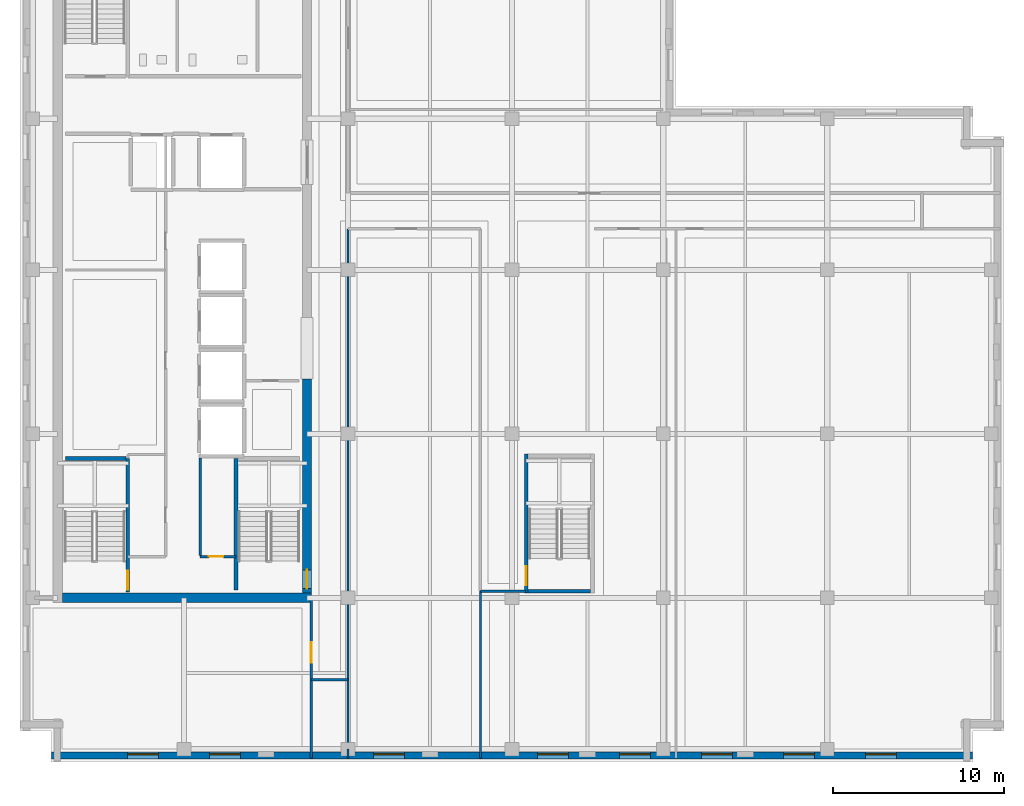
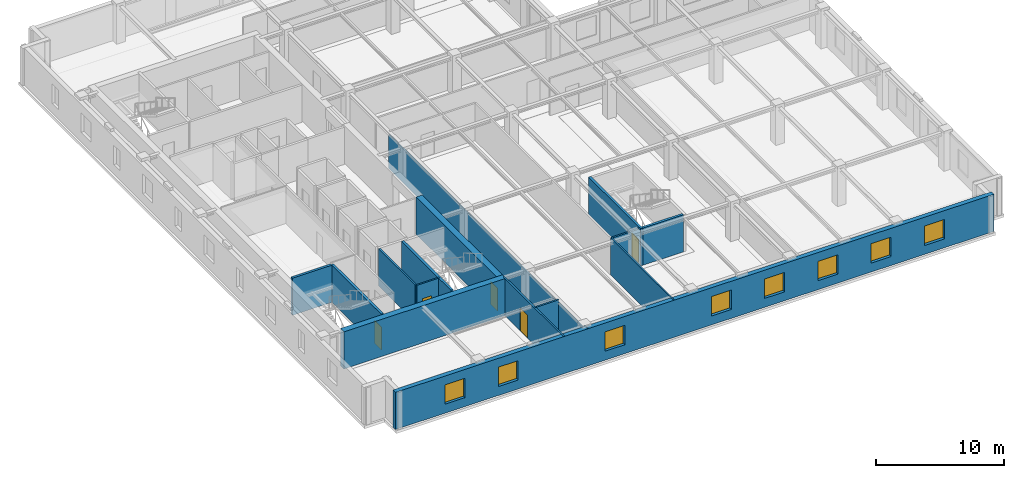
# One storey, part 3 of 12: 16 walls, 8 windows, 5 doors, 13 openings.
"""IFC4 building model written with IfcOpenShell, lengths in metres."""

from ifc_helpers import new_model, si_unit, direction, frame, frame_2d, origin, place, context, subcontext, project, spatial, rectangle, extrude, material, layer, layer_set, type_object, element, fill, save


model = new_model("IFC4")

# Units and contexts
model_context = context("Model", 3, precision=1e-05, world=origin(), true_north=direction((0.0, 1.0)))
body_context = subcontext(model_context, "Body", "Model", "MODEL_VIEW")
ifc_project = project(units=[si_unit("LENGTHUNIT", "METRE"), si_unit("AREAUNIT", "SQUARE_METRE"), si_unit("VOLUMEUNIT", "CUBIC_METRE"), si_unit("PLANEANGLEUNIT", "RADIAN"), si_unit("MASSUNIT", "GRAM", prefix="KILO")], contexts=[model_context])

# Site, building, storey
site_placement = place(None, origin())
site = spatial("IfcSite", under=ifc_project, at=site_placement, CompositionType="ELEMENT")
building_placement = place(site_placement, origin())
building = spatial("IfcBuilding", under=site, at=building_placement, Name="Norrvale University Quadrangle", CompositionType="ELEMENT")
storey_placement = place(building_placement, frame((0.0, 0.0, 237.0)))
storey = spatial("IfcBuildingStorey", under=building, at=storey_placement, Name="L60", CompositionType="ELEMENT", Elevation=237.0)

# Wall
ifc_material_1 = material(Name="Concrete C60/75", Category="concrete")
ifc_layer_1 = layer(ifc_material_1, 0.550048828125, Name="Concrete C60/75")
ifc_layer_set_1 = layer_set([ifc_layer_1], Name="Concrete C60/75")
wall_type_1 = type_object("IfcWallType", Name="Wall Core 550", PredefinedType="SHEAR", material=ifc_layer_set_1)
wall_1_placement = place(storey_placement, frame((2.47509765625, 9.60009765625, 0.0), z_axis=(0.0, 0.0, 1.0), x_axis=(1.0, 0.0, 0.0)))
element("IfcWall", 1, at=wall_1_placement, inside=storey, type_object=wall_type_1, Name="Tower Core Shear Wall L60-S", PredefinedType="SHEAR", context=body_context, shape_type="SweptSolid", body=[
    extrude(rectangle(XDim=14.599853515625, YDim=0.550048828125, at=frame_2d((7.2998046875, 0.0))), origin(), (0.0, 0.0, 1.0), 3.5400390625),
])

# Wall, opening, door
wall_2_placement = place(storey_placement, frame((16.800048828125, 9.875, 0.0), z_axis=(0.0, 0.0, 1.0), x_axis=(0.0, 1.0, 0.0)))
wall_2 = element("IfcWall", 2, at=wall_2_placement, inside=storey, type_object=wall_type_1, Name="Tower Core Shear Wall L60-E1", PredefinedType="SHEAR", context=body_context, shape_type="SweptSolid", body=[
    extrude(rectangle(XDim=12.52490234375, YDim=0.550048828125, at=frame_2d((6.262451171875, 0.0))), origin(), (0.0, 0.0, 1.0), 3.5400390625),
])
opening_1_placement = place(wall_2_placement, frame((0.264892578125, 0.0, 0.0)))
opening_1 = element("IfcOpeningElement", 3, at=opening_1_placement, cuts=wall_2, Name="Opening D02", PredefinedType="OPENING", context=body_context, shape_type="SweptSolid", body=[
    extrude(rectangle(XDim=1.10009765625, YDim=2.199951171875, at=frame_2d((0.550048828125, 1.10009765625))), frame((0.0, 0.287109375, 0.0), z_axis=(0.0, -1.0, 0.0), x_axis=(1.0, 0.0, 0.0)), (0.0, 0.0, 1.0), 0.573974609375),
])
ifc_material_2 = material(Name="Hollow Steel 350W Fire Door", Category="steel")
door_type_1 = type_object("IfcDoorType", Name="Door Stair Exit 1100x2200", OperationType="NOTDEFINED", PredefinedType="DOOR", material=ifc_material_2)
door_1_placement = place(opening_1_placement, origin())
door_1 = element("IfcDoor", 4, at=door_1_placement, inside=storey, type_object=door_type_1, Name="Door Stair Exit 1100x2200 DR-L60-ST03", OperationType="SINGLE_SWING_LEFT", OverallHeight=2.199951171875, OverallWidth=1.10009765625, PredefinedType="DOOR", context=body_context, shape_type="SweptSolid", body=[
    extrude(rectangle(XDim=1.10009765625, YDim=2.199951171875, at=frame_2d((0.550048828125, 1.10009765625))), frame((0.0, 0.02490234375, 0.0), z_axis=(0.0, -1.0, 0.0), x_axis=(1.0, 0.0, 0.0)), (0.0, 0.0, 1.0), 0.050048828125),
])
fill(opening_1, door_1)

# Walls
ifc_material_3 = material(Name="Standard Academic Gypsum Partition")
ifc_layer_2 = layer(ifc_material_3, 0.125, Name="Standard Academic Gypsum Partition")
ifc_layer_set_2 = layer_set([ifc_layer_2], Name="Standard Academic Gypsum Partition")
wall_type_2 = type_object("IfcWallType", Name="Wall Gypsum Academic 125", PredefinedType="PARTITIONING", material=ifc_layer_set_2)
wall_3_placement = place(storey_placement, frame((19.199951171875, 0.219970703125, 0.0), z_axis=(0.0, 0.0, 1.0), x_axis=(0.0, 1.0, 0.0)))
element("IfcWall", 5, at=wall_3_placement, inside=storey, type_object=wall_type_2, Name="Interior Partition WL-L60-SE-W0", PredefinedType="PARTITIONING", context=body_context, shape_type="SweptSolid", body=[
    extrude(rectangle(XDim=0.530029296875, YDim=0.125, at=frame_2d((0.26513671875, 0.0))), origin(), (0.0, 0.0, 1.0), 3.5400390625),
])
wall_4_placement = place(storey_placement, frame((19.199951171875, 0.75, 0.0), z_axis=(0.0, 0.0, 1.0), x_axis=(0.0, 1.0, 0.0)))
element("IfcWall", 6, at=wall_4_placement, inside=storey, type_object=wall_type_2, Name="Interior Partition WL-L60-SE-W0-B2", PredefinedType="PARTITIONING", context=body_context, shape_type="SweptSolid", body=[
    extrude(rectangle(XDim=30.449951171875, YDim=0.125, at=frame_2d((15.22509765625, 0.0))), origin(), (0.0, 0.0, 1.0), 3.23193359375),
])
wall_5_placement = place(storey_placement, frame((26.949951171875, 0.219970703125, 0.0), z_axis=(0.0, 0.0, 1.0), x_axis=(0.0, 1.0, 0.0)))
element("IfcWall", 7, at=wall_5_placement, inside=storey, type_object=wall_type_2, Name="Interior Partition WL-L60-SEP1A", PredefinedType="PARTITIONING", context=body_context, shape_type="SweptSolid", body=[
    extrude(rectangle(XDim=9.780029296875, YDim=0.125, at=frame_2d((4.89013671875, 0.0))), origin(), (0.0, 0.0, 1.0), 3.5400390625),
])

# Wall, opening, door
ifc_material_4 = material(Name="Fire-Rated Gypsum Stud Partition")
ifc_layer_3 = layer(ifc_material_4, 0.14990234375, Name="Fire-Rated Gypsum Stud Partition")
ifc_layer_set_3 = layer_set([ifc_layer_3], Name="Fire-Rated Gypsum Stud Partition")
wall_type_3 = type_object("IfcWallType", Name="Wall Gypsum Corridor 150", PredefinedType="PARTITIONING", material=ifc_layer_set_3)
wall_6_placement = place(storey_placement, frame((10.550048828125, 12.02001953125, 0.0), z_axis=(0.0, 0.0, 1.0), x_axis=(1.0, 0.0, 0.0)))
wall_6 = element("IfcWall", 8, at=wall_6_placement, inside=storey, type_object=wall_type_3, Name="Interior Partition WL-L60-SC-NR", PredefinedType="PARTITIONING", context=body_context, shape_type="SweptSolid", body=[
    extrude(rectangle(XDim=2.079833984375, YDim=0.14990234375, at=frame_2d((1.0400390625, 0.0))), origin(), (0.0, 0.0, 1.0), 3.5400390625),
])
opening_2_placement = place(wall_6_placement, frame((0.5, 0.0, 0.0)))
opening_2 = element("IfcOpeningElement", 9, at=opening_2_placement, cuts=wall_6, Name="Opening D10", PredefinedType="OPENING", context=body_context, shape_type="SweptSolid", body=[
    extrude(rectangle(XDim=0.85009765625, YDim=2.10009765625, at=frame_2d((0.425048828125, 1.050048828125))), frame((0.0, 0.0869140625, 0.0), z_axis=(0.0, -1.0, 0.0), x_axis=(1.0, 0.0, 0.0)), (0.0, 0.0, 1.0), 0.173828125),
])
ifc_material_5 = material(Name="Hollow Steel 350W Riser Fire Door", Category="steel")
door_type_2 = type_object("IfcDoorType", Name="Door Riser 850x2100", OperationType="NOTDEFINED", PredefinedType="DOOR", material=ifc_material_5)
door_2_placement = place(opening_2_placement, origin())
door_2 = element("IfcDoor", 10, at=door_2_placement, inside=storey, type_object=door_type_2, Name="Door Riser 850x2100 DR-L60-IDF", OperationType="SINGLE_SWING_RIGHT", OverallHeight=2.10009765625, OverallWidth=0.85009765625, PredefinedType="DOOR", context=body_context, shape_type="SweptSolid", body=[
    extrude(rectangle(XDim=0.85009765625, YDim=2.10009765625, at=frame_2d((0.425048828125, 1.050048828125))), frame((0.0, 0.02490234375, 0.0), z_axis=(0.0, -1.0, 0.0), x_axis=(1.0, 0.0, 0.0)), (0.0, 0.0, 1.0), 0.050048828125),
])
fill(opening_2, door_2)

# Walls
wall_7_placement = place(storey_placement, frame((10.550048828125, 12.094970703125, 0.0), z_axis=(0.0, 0.0, 1.0), x_axis=(0.0, 1.0, 0.0)))
element("IfcWall", 11, at=wall_7_placement, inside=storey, type_object=wall_type_3, Name="Interior Partition WL-L60-SC-WR", PredefinedType="PARTITIONING", context=body_context, shape_type="SweptSolid", body=[
    extrude(rectangle(XDim=5.679931640625, YDim=0.14990234375, at=frame_2d((2.83984375, 0.0))), origin(), (0.0, 0.0, 1.0), 3.5400390625),
])
wall_8_placement = place(storey_placement, frame((17.050048828125, 4.800048828125, 0.0), z_axis=(0.0, 0.0, 1.0), x_axis=(1.0, 0.0, 0.0)))
element("IfcWall", 12, at=wall_8_placement, inside=storey, type_object=wall_type_3, Name="Interior Partition WL-L60-CSP-S", PredefinedType="PARTITIONING", context=body_context, shape_type="SweptSolid", body=[
    extrude(rectangle(XDim=2.14990234375, YDim=0.14990234375, at=frame_2d((1.074951171875, 0.0))), origin(), (0.0, 0.0, 1.0), 3.5400390625),
])

# Wall, opening, door
wall_9_placement = place(storey_placement, frame((17.050048828125, 0.219970703125, 0.0), z_axis=(0.0, 0.0, 1.0), x_axis=(0.0, 1.0, 0.0)))
wall_9 = element("IfcWall", 13, at=wall_9_placement, inside=storey, type_object=wall_type_3, Name="Interior Partition WL-L60-SW-E", PredefinedType="PARTITIONING", context=body_context, shape_type="SweptSolid", body=[
    extrude(rectangle(XDim=9.380126953125, YDim=0.14990234375, at=frame_2d((4.68994140625, 0.0))), origin(), (0.0, 0.0, 1.0), 3.5400390625),
])
opening_3_placement = place(wall_9_placement, frame((5.580078125, 0.0, 0.0)))
opening_3 = element("IfcOpeningElement", 14, at=opening_3_placement, cuts=wall_9, Name="Opening D05", PredefinedType="OPENING", context=body_context, shape_type="SweptSolid", body=[
    extrude(rectangle(XDim=1.199951171875, YDim=2.199951171875, at=frame_2d((0.60009765625, 1.10009765625))), frame((0.0, 0.0869140625, 0.0), z_axis=(0.0, -1.0, 0.0), x_axis=(1.0, 0.0, 0.0)), (0.0, 0.0, 1.0), 0.173828125),
])
ifc_material_6 = material(Name="Acoustic Oak Classroom Door", Category="wood")
door_type_3 = type_object("IfcDoorType", Name="Door Classroom 1200x2200", OperationType="NOTDEFINED", PredefinedType="DOOR", material=ifc_material_6)
door_3_placement = place(opening_3_placement, origin())
door_3 = element("IfcDoor", 15, at=door_3_placement, inside=storey, type_object=door_type_3, Name="Door Classroom 1200x2200 DR-L60-SW1", OperationType="SINGLE_SWING_LEFT", OverallHeight=2.199951171875, OverallWidth=1.199951171875, PredefinedType="DOOR", context=body_context, shape_type="SweptSolid", body=[
    extrude(rectangle(XDim=1.199951171875, YDim=2.199951171875, at=frame_2d((0.60009765625, 1.10009765625))), frame((0.0, 0.02490234375, 0.0), z_axis=(0.0, -1.0, 0.0), x_axis=(1.0, 0.0, 0.0)), (0.0, 0.0, 1.0), 0.050048828125),
])
fill(opening_3, door_3)

# Wall
wall_10_placement = place(storey_placement, frame((26.949951171875, 10.0, 0.0), z_axis=(0.0, 0.0, 1.0), x_axis=(1.0, 0.0, 0.0)))
element("IfcWall", 16, at=wall_10_placement, inside=storey, type_object=wall_type_3, Name="Interior Partition WL-L60-SEP1C", PredefinedType="PARTITIONING", context=body_context, shape_type="SweptSolid", body=[
    extrude(rectangle(XDim=2.630126953125, YDim=0.14990234375, at=frame_2d((1.31494140625, 0.0))), origin(), (0.0, 0.0, 1.0), 3.5400390625),
])

# Wall, openings, windows
ifc_material_7 = material(Name="Red Manganese Brick Masonry", Category="masonry")
ifc_layer_4 = layer(ifc_material_7, 0.39990234375, Name="Red Manganese Brick Masonry")
ifc_layer_set_4 = layer_set([ifc_layer_4], Name="Red Manganese Brick Masonry")
wall_type_4 = type_object("IfcWallType", Name="Wall Red Brick 400", PredefinedType="SOLIDWALL", material=ifc_layer_set_4)
wall_11_placement = place(storey_placement, frame((1.840087890625, 0.3798828125, 0.0), z_axis=(0.0, 0.0, 1.0), x_axis=(1.0, 0.0, 0.0)))
wall_11 = element("IfcWall", 17, at=wall_11_placement, inside=storey, type_object=wall_type_4, Name="Exterior Brick Facade Wall L60-01.1", PredefinedType="SOLIDWALL", context=body_context, shape_type="SweptSolid", body=[
    extrude(rectangle(XDim=53.919921875, YDim=0.39990234375, at=frame_2d((26.9599609375, 0.0))), origin(), (0.0, 0.0, 1.0), 3.5400390625),
])
opening_4_placement = place(wall_11_placement, frame((4.4599609375, 0.0, 0.85009765625)))
opening_4 = element("IfcOpeningElement", 18, at=opening_4_placement, cuts=wall_11, Name="Opening W01", PredefinedType="OPENING", context=body_context, shape_type="SweptSolid", body=[
    extrude(rectangle(XDim=1.800048828125, YDim=1.85009765625, at=frame_2d((0.89990234375, 0.925048828125))), frame((0.0, 0.2119140625, 0.0), z_axis=(0.0, -1.0, 0.0), x_axis=(1.0, 0.0, 0.0)), (0.0, 0.0, 1.0), 0.423828125),
])
opening_5_placement = place(wall_11_placement, frame((9.260009765625, 0.0, 0.85009765625)))
opening_5 = element("IfcOpeningElement", 19, at=opening_5_placement, cuts=wall_11, Name="Opening W01", PredefinedType="OPENING", context=body_context, shape_type="SweptSolid", body=[
    extrude(rectangle(XDim=1.800048828125, YDim=1.85009765625, at=frame_2d((0.89990234375, 0.925048828125))), frame((0.0, 0.2119140625, 0.0), z_axis=(0.0, -1.0, 0.0), x_axis=(1.0, 0.0, 0.0)), (0.0, 0.0, 1.0), 0.423828125),
])
opening_6_placement = place(wall_11_placement, frame((18.860107421875, 0.0, 0.85009765625)))
opening_6 = element("IfcOpeningElement", 20, at=opening_6_placement, cuts=wall_11, Name="Opening W01", PredefinedType="OPENING", context=body_context, shape_type="SweptSolid", body=[
    extrude(rectangle(XDim=1.800048828125, YDim=1.85009765625, at=frame_2d((0.89990234375, 0.925048828125))), frame((0.0, 0.2119140625, 0.0), z_axis=(0.0, -1.0, 0.0), x_axis=(1.0, 0.0, 0.0)), (0.0, 0.0, 1.0), 0.423828125),
])
opening_7_placement = place(wall_11_placement, frame((28.4599609375, 0.0, 0.85009765625)))
opening_7 = element("IfcOpeningElement", 21, at=opening_7_placement, cuts=wall_11, Name="Opening W01", PredefinedType="OPENING", context=body_context, shape_type="SweptSolid", body=[
    extrude(rectangle(XDim=1.800048828125, YDim=1.85009765625, at=frame_2d((0.89990234375, 0.925048828125))), frame((0.0, 0.2119140625, 0.0), z_axis=(0.0, -1.0, 0.0), x_axis=(1.0, 0.0, 0.0)), (0.0, 0.0, 1.0), 0.423828125),
])
opening_8_placement = place(wall_11_placement, frame((33.260009765625, 0.0, 0.85009765625)))
opening_8 = element("IfcOpeningElement", 22, at=opening_8_placement, cuts=wall_11, Name="Opening W01", PredefinedType="OPENING", context=body_context, shape_type="SweptSolid", body=[
    extrude(rectangle(XDim=1.800048828125, YDim=1.85009765625, at=frame_2d((0.89990234375, 0.925048828125))), frame((0.0, 0.2119140625, 0.0), z_axis=(0.0, -1.0, 0.0), x_axis=(1.0, 0.0, 0.0)), (0.0, 0.0, 1.0), 0.423828125),
])
opening_9_placement = place(wall_11_placement, frame((38.06005859375, 0.0, 0.85009765625)))
opening_9 = element("IfcOpeningElement", 23, at=opening_9_placement, cuts=wall_11, Name="Opening W01", PredefinedType="OPENING", context=body_context, shape_type="SweptSolid", body=[
    extrude(rectangle(XDim=1.800048828125, YDim=1.85009765625, at=frame_2d((0.89990234375, 0.925048828125))), frame((0.0, 0.2119140625, 0.0), z_axis=(0.0, -1.0, 0.0), x_axis=(1.0, 0.0, 0.0)), (0.0, 0.0, 1.0), 0.423828125),
])
opening_10_placement = place(wall_11_placement, frame((42.860107421875, 0.0, 0.85009765625)))
opening_10 = element("IfcOpeningElement", 24, at=opening_10_placement, cuts=wall_11, Name="Opening W01", PredefinedType="OPENING", context=body_context, shape_type="SweptSolid", body=[
    extrude(rectangle(XDim=1.800048828125, YDim=1.85009765625, at=frame_2d((0.89990234375, 0.925048828125))), frame((0.0, 0.2119140625, 0.0), z_axis=(0.0, -1.0, 0.0), x_axis=(1.0, 0.0, 0.0)), (0.0, 0.0, 1.0), 0.423828125),
])
opening_11_placement = place(wall_11_placement, frame((47.659912109375, 0.0, 0.85009765625)))
opening_11 = element("IfcOpeningElement", 25, at=opening_11_placement, cuts=wall_11, Name="Opening W01", PredefinedType="OPENING", context=body_context, shape_type="SweptSolid", body=[
    extrude(rectangle(XDim=1.800048828125, YDim=1.85009765625, at=frame_2d((0.89990234375, 0.925048828125))), frame((0.0, 0.2119140625, 0.0), z_axis=(0.0, -1.0, 0.0), x_axis=(1.0, 0.0, 0.0)), (0.0, 0.0, 1.0), 0.423828125),
])
ifc_material_8 = material(Name="Triple Low-E Argon Glazing", Category="glass")
window_type = type_object("IfcWindowType", Name="Window Academic 1800x2300", PartitioningType="DOUBLE_PANEL_VERTICAL", PredefinedType="WINDOW", material=ifc_material_8)
window_1_placement = place(opening_4_placement, origin())
window_1 = element("IfcWindow", 26, at=window_1_placement, inside=storey, type_object=window_type, Name="Window Academic 1800x2300 WIN-L60-E01-1-01", OverallHeight=1.85009765625, OverallWidth=1.800048828125, PartitioningType="DOUBLE_PANEL_VERTICAL", PredefinedType="WINDOW", context=body_context, shape_type="SweptSolid", body=[
    extrude(rectangle(XDim=1.800048828125, YDim=1.85009765625, at=frame_2d((0.89990234375, 0.925048828125))), frame((0.0, 0.110107421875, 0.0), z_axis=(0.0, -1.0, 0.0), x_axis=(1.0, 0.0, 0.0)), (0.0, 0.0, 1.0), 0.06005859375),
])
fill(opening_4, window_1)
window_2_placement = place(opening_5_placement, origin())
window_2 = element("IfcWindow", 27, at=window_2_placement, inside=storey, type_object=window_type, Name="Window Academic 1800x2300 WIN-L60-E01-1-02", OverallHeight=1.85009765625, OverallWidth=1.800048828125, PartitioningType="DOUBLE_PANEL_VERTICAL", PredefinedType="WINDOW", context=body_context, shape_type="SweptSolid", body=[
    extrude(rectangle(XDim=1.800048828125, YDim=1.85009765625, at=frame_2d((0.89990234375, 0.925048828125))), frame((0.0, 0.110107421875, 0.0), z_axis=(0.0, -1.0, 0.0), x_axis=(1.0, 0.0, 0.0)), (0.0, 0.0, 1.0), 0.06005859375),
])
fill(opening_5, window_2)
window_3_placement = place(opening_6_placement, origin())
window_3 = element("IfcWindow", 28, at=window_3_placement, inside=storey, type_object=window_type, Name="Window Academic 1800x2300 WIN-L60-E01-1-03", OverallHeight=1.85009765625, OverallWidth=1.800048828125, PartitioningType="DOUBLE_PANEL_VERTICAL", PredefinedType="WINDOW", context=body_context, shape_type="SweptSolid", body=[
    extrude(rectangle(XDim=1.800048828125, YDim=1.85009765625, at=frame_2d((0.89990234375, 0.925048828125))), frame((0.0, 0.110107421875, 0.0), z_axis=(0.0, -1.0, 0.0), x_axis=(1.0, 0.0, 0.0)), (0.0, 0.0, 1.0), 0.06005859375),
])
fill(opening_6, window_3)
window_4_placement = place(opening_7_placement, origin())
window_4 = element("IfcWindow", 29, at=window_4_placement, inside=storey, type_object=window_type, Name="Window Academic 1800x2300 WIN-L60-E01-1-04", OverallHeight=1.85009765625, OverallWidth=1.800048828125, PartitioningType="DOUBLE_PANEL_VERTICAL", PredefinedType="WINDOW", context=body_context, shape_type="SweptSolid", body=[
    extrude(rectangle(XDim=1.800048828125, YDim=1.85009765625, at=frame_2d((0.89990234375, 0.925048828125))), frame((0.0, 0.110107421875, 0.0), z_axis=(0.0, -1.0, 0.0), x_axis=(1.0, 0.0, 0.0)), (0.0, 0.0, 1.0), 0.06005859375),
])
fill(opening_7, window_4)
window_5_placement = place(opening_8_placement, origin())
window_5 = element("IfcWindow", 30, at=window_5_placement, inside=storey, type_object=window_type, Name="Window Academic 1800x2300 WIN-L60-E01-1-05", OverallHeight=1.85009765625, OverallWidth=1.800048828125, PartitioningType="DOUBLE_PANEL_VERTICAL", PredefinedType="WINDOW", context=body_context, shape_type="SweptSolid", body=[
    extrude(rectangle(XDim=1.800048828125, YDim=1.85009765625, at=frame_2d((0.89990234375, 0.925048828125))), frame((0.0, 0.110107421875, 0.0), z_axis=(0.0, -1.0, 0.0), x_axis=(1.0, 0.0, 0.0)), (0.0, 0.0, 1.0), 0.06005859375),
])
fill(opening_8, window_5)
window_6_placement = place(opening_9_placement, origin())
window_6 = element("IfcWindow", 31, at=window_6_placement, inside=storey, type_object=window_type, Name="Window Academic 1800x2300 WIN-L60-E01-1-06", OverallHeight=1.85009765625, OverallWidth=1.800048828125, PartitioningType="DOUBLE_PANEL_VERTICAL", PredefinedType="WINDOW", context=body_context, shape_type="SweptSolid", body=[
    extrude(rectangle(XDim=1.800048828125, YDim=1.85009765625, at=frame_2d((0.89990234375, 0.925048828125))), frame((0.0, 0.110107421875, 0.0), z_axis=(0.0, -1.0, 0.0), x_axis=(1.0, 0.0, 0.0)), (0.0, 0.0, 1.0), 0.06005859375),
])
fill(opening_9, window_6)
window_7_placement = place(opening_10_placement, origin())
window_7 = element("IfcWindow", 32, at=window_7_placement, inside=storey, type_object=window_type, Name="Window Academic 1800x2300 WIN-L60-E01-1-07", OverallHeight=1.85009765625, OverallWidth=1.800048828125, PartitioningType="DOUBLE_PANEL_VERTICAL", PredefinedType="WINDOW", context=body_context, shape_type="SweptSolid", body=[
    extrude(rectangle(XDim=1.800048828125, YDim=1.85009765625, at=frame_2d((0.89990234375, 0.925048828125))), frame((0.0, 0.110107421875, 0.0), z_axis=(0.0, -1.0, 0.0), x_axis=(1.0, 0.0, 0.0)), (0.0, 0.0, 1.0), 0.06005859375),
])
fill(opening_10, window_7)
window_8_placement = place(opening_11_placement, origin())
window_8 = element("IfcWindow", 33, at=window_8_placement, inside=storey, type_object=window_type, Name="Window Academic 1800x2300 WIN-L60-E01-1-08", OverallHeight=1.85009765625, OverallWidth=1.800048828125, PartitioningType="DOUBLE_PANEL_VERTICAL", PredefinedType="WINDOW", context=body_context, shape_type="SweptSolid", body=[
    extrude(rectangle(XDim=1.800048828125, YDim=1.85009765625, at=frame_2d((0.89990234375, 0.925048828125))), frame((0.0, 0.110107421875, 0.0), z_axis=(0.0, -1.0, 0.0), x_axis=(1.0, 0.0, 0.0)), (0.0, 0.0, 1.0), 0.06005859375),
])
fill(opening_11, window_8)

# Wall, opening, door
ifc_material_9 = material(Name="Concrete Blockwork 20 MPa Fire Shaft", Category="masonry")
ifc_layer_5 = layer(ifc_material_9, 0.219970703125, Name="Concrete Blockwork 20 MPa Fire Shaft")
ifc_layer_set_5 = layer_set([ifc_layer_5], Name="Concrete Blockwork 20 MPa Fire Shaft")
wall_type_5 = type_object("IfcWallType", Name="Wall Shaft 220", PredefinedType="SOLIDWALL", material=ifc_layer_set_5)
wall_12_placement = place(storey_placement, frame((6.31005859375, 9.949951171875, 0.0), z_axis=(0.0, 0.0, 1.0), x_axis=(0.0, 1.0, 0.0)))
wall_12 = element("IfcWall", 34, at=wall_12_placement, inside=storey, type_object=wall_type_5, Name="Stair ST-01 East Shaft Wall L60", PredefinedType="SOLIDWALL", context=body_context, shape_type="SweptSolid", body=[
    extrude(rectangle(XDim=7.81005859375, YDim=0.219970703125, at=frame_2d((3.905029296875, 0.0))), origin(), (0.0, 0.0, 1.0), 3.5400390625),
])
opening_12_placement = place(wall_12_placement, frame((0.139892578125, 0.0, 0.0)))
opening_12 = element("IfcOpeningElement", 35, at=opening_12_placement, cuts=wall_12, Name="Opening D02", PredefinedType="OPENING", context=body_context, shape_type="SweptSolid", body=[
    extrude(rectangle(XDim=1.10009765625, YDim=2.199951171875, at=frame_2d((0.550048828125, 1.10009765625))), frame((0.0, 0.1220703125, 0.0), z_axis=(0.0, -1.0, 0.0), x_axis=(1.0, 0.0, 0.0)), (0.0, 0.0, 1.0), 0.243896484375),
])
door_4_placement = place(opening_12_placement, origin())
door_4 = element("IfcDoor", 36, at=door_4_placement, inside=storey, type_object=door_type_1, Name="Door Stair Exit 1100x2200 DR-L60-ST01", OperationType="SINGLE_SWING_LEFT", OverallHeight=2.199951171875, OverallWidth=1.10009765625, PredefinedType="DOOR", context=body_context, shape_type="SweptSolid", body=[
    extrude(rectangle(XDim=1.10009765625, YDim=2.199951171875, at=frame_2d((0.550048828125, 1.10009765625))), frame((0.0, 0.02490234375, 0.0), z_axis=(0.0, -1.0, 0.0), x_axis=(1.0, 0.0, 0.0)), (0.0, 0.0, 1.0), 0.050048828125),
])
fill(opening_12, door_4)

# Walls
wall_13_placement = place(storey_placement, frame((2.64990234375, 17.760009765625, 0.0), z_axis=(0.0, 0.0, 1.0), x_axis=(1.0, 0.0, 0.0)))
element("IfcWall", 37, at=wall_13_placement, inside=storey, type_object=wall_type_5, Name="Stair ST-01 North Shaft Wall L60", PredefinedType="SOLIDWALL", context=body_context, shape_type="SweptSolid", body=[
    extrude(rectangle(XDim=3.550048828125, YDim=0.219970703125, at=frame_2d((1.77490234375, 0.0))), origin(), (0.0, 0.0, 1.0), 3.5400390625),
])
wall_14_placement = place(storey_placement, frame((12.639892578125, 10.050048828125, 0.0), z_axis=(0.0, 0.0, 1.0), x_axis=(0.0, 1.0, 0.0)))
element("IfcWall", 38, at=wall_14_placement, inside=storey, type_object=wall_type_5, Name="Stair ST-03 West Shaft Wall L60", PredefinedType="SOLIDWALL", context=body_context, shape_type="SweptSolid", body=[
    extrude(rectangle(XDim=7.7099609375, YDim=0.219970703125, at=frame_2d((3.85498046875, 0.0))), origin(), (0.0, 0.0, 1.0), 3.5400390625),
])
wall_15_placement = place(storey_placement, frame((29.75, 9.989990234375, 0.0), z_axis=(0.0, 0.0, 1.0), x_axis=(1.0, 0.0, 0.0)))
element("IfcWall", 39, at=wall_15_placement, inside=storey, type_object=wall_type_5, Name="Stair ST-04 South Shaft Wall L60", PredefinedType="SOLIDWALL", context=body_context, shape_type="SweptSolid", body=[
    extrude(rectangle(XDim=3.64990234375, YDim=0.219970703125, at=frame_2d((1.824951171875, 0.0))), origin(), (0.0, 0.0, 1.0), 3.5400390625),
])

# Wall, opening, door
wall_16_placement = place(storey_placement, frame((29.639892578125, 9.8798828125, 0.0), z_axis=(0.0, 0.0, 1.0), x_axis=(0.0, 1.0, 0.0)))
wall_16 = element("IfcWall", 40, at=wall_16_placement, inside=storey, type_object=wall_type_5, Name="Stair ST-04 West Shaft Wall L60", PredefinedType="SOLIDWALL", context=body_context, shape_type="SweptSolid", body=[
    extrude(rectangle(XDim=8.14013671875, YDim=0.219970703125, at=frame_2d((4.070068359375, 0.0))), origin(), (0.0, 0.0, 1.0), 3.5400390625),
])
opening_13_placement = place(wall_16_placement, frame((0.469970703125, 0.0, 0.0)))
opening_13 = element("IfcOpeningElement", 41, at=opening_13_placement, cuts=wall_16, Name="Opening D02", PredefinedType="OPENING", context=body_context, shape_type="SweptSolid", body=[
    extrude(rectangle(XDim=1.10009765625, YDim=2.199951171875, at=frame_2d((0.550048828125, 1.10009765625))), frame((0.0, 0.1220703125, 0.0), z_axis=(0.0, -1.0, 0.0), x_axis=(1.0, 0.0, 0.0)), (0.0, 0.0, 1.0), 0.243896484375),
])
door_5_placement = place(opening_13_placement, frame((1.10009765625, 0.0, 0.0), z_axis=(0.0, 0.0, 1.0), x_axis=(-1.0, 0.0, 0.0)))
door_5 = element("IfcDoor", 42, at=door_5_placement, inside=storey, type_object=door_type_1, Name="Door Stair Exit 1100x2200 DR-L60-ST04", OperationType="SINGLE_SWING_RIGHT", OverallHeight=2.199951171875, OverallWidth=1.10009765625, PredefinedType="DOOR", context=body_context, shape_type="SweptSolid", body=[
    extrude(rectangle(XDim=1.10009765625, YDim=2.199951171875, at=frame_2d((0.550048828125, 1.10009765625))), frame((0.0, 0.02490234375, 0.0), z_axis=(0.0, -1.0, 0.0), x_axis=(1.0, 0.0, 0.0)), (0.0, 0.0, 1.0), 0.050048828125),
])
fill(opening_13, door_5)

save(model, "model.ifc")
